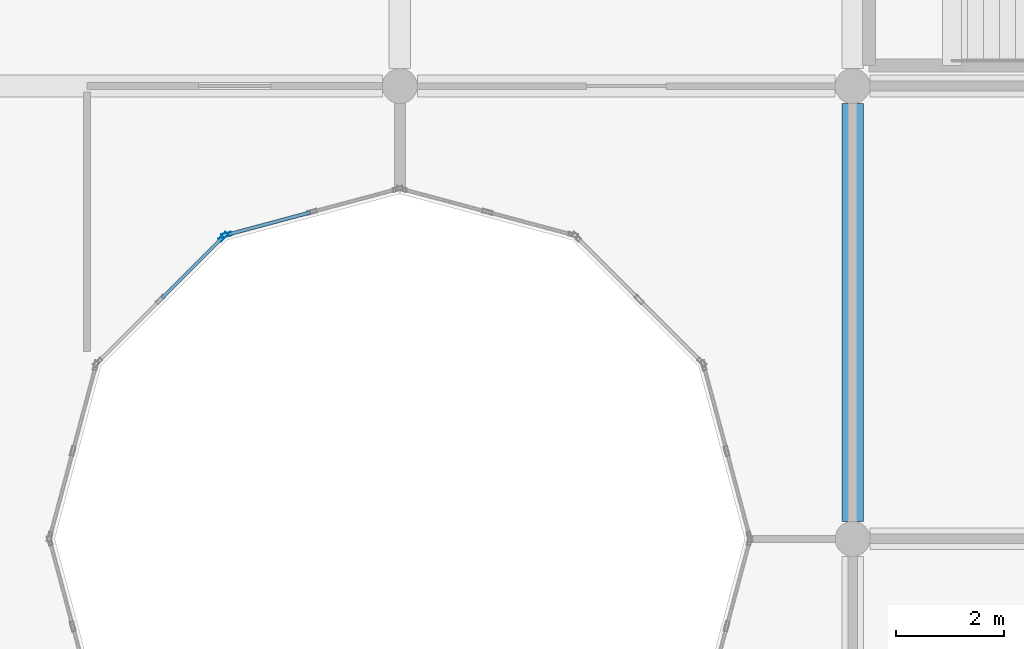
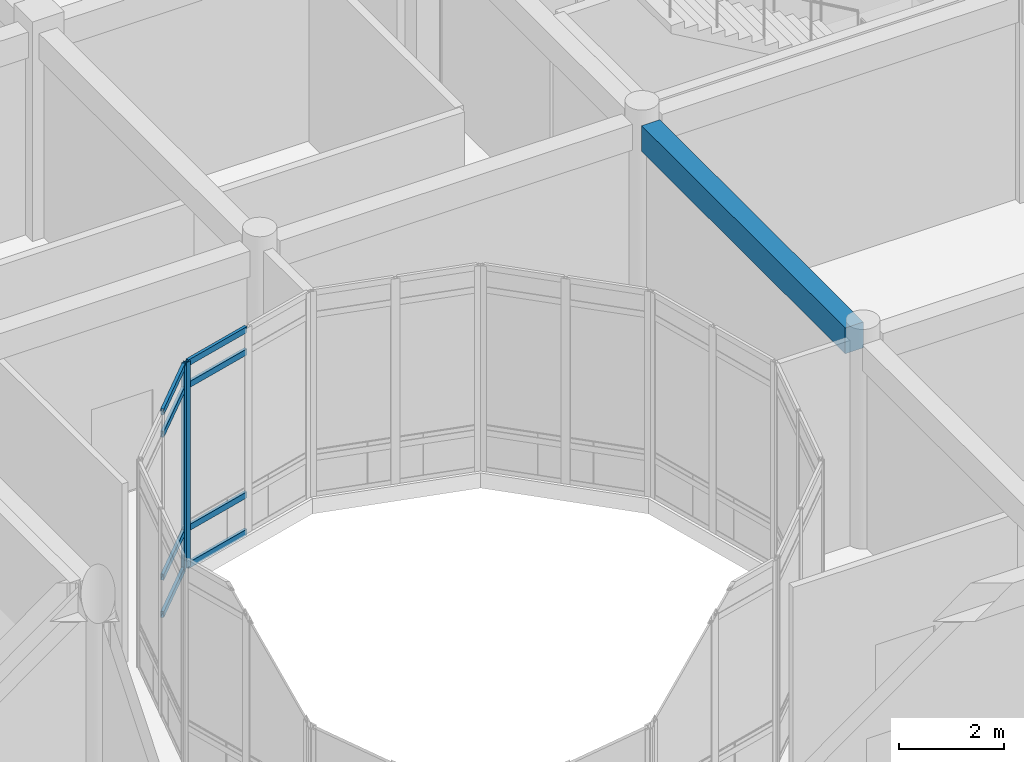
# One storey, part 52 of 134: 10 members, 1 beam, 2 elements without a shape of their own.
"""IFC4 building model written with IfcOpenShell, lengths in metres."""

from ifc_helpers import new_model, si_unit, direction, frame, origin, origin_2d, place, context, subcontext, project, spatial, rectangle, hollow_rectangle, extrude, material, layer, layer_set, material_profile, profile_set, type_object, element, aggregate, save


model = new_model("IFC4")

# Units and contexts
model_context = context("Model", 3, precision=1e-05, world=origin(), true_north=direction((0.0, 1.0)))
body_context = subcontext(model_context, "Body", "Model", "MODEL_VIEW")
ifc_project = project(units=[si_unit("LENGTHUNIT", "METRE"), si_unit("AREAUNIT", "SQUARE_METRE"), si_unit("VOLUMEUNIT", "CUBIC_METRE"), si_unit("PLANEANGLEUNIT", "RADIAN"), si_unit("MASSUNIT", "GRAM", prefix="KILO")], contexts=[model_context])

# Site, building, storey
site_placement = place(None, origin())
site = spatial("IfcSite", under=ifc_project, at=site_placement, CompositionType="ELEMENT")
building_placement = place(site_placement, origin())
building = spatial("IfcBuilding", under=site, at=building_placement, Name="Bramfleet General Hospital", CompositionType="ELEMENT")
storey_placement = place(building_placement, frame((0.0, 0.0, 9.300048828125)))
storey = spatial("IfcBuildingStorey", under=building, at=storey_placement, Name="L02", CompositionType="ELEMENT", Elevation=9.300048828125)

# Beam
ifc_material_1 = material(Name="Concrete C35/45", Category="concrete")
ifc_material_profile_1 = material_profile(ifc_material_1, rectangle(XDim=0.39990234375, YDim=0.60009765625, at=origin_2d()), Name="RC BM 600x400")
ifc_profile_set_1 = profile_set([ifc_material_profile_1], Name="Concrete C35/45")
beam_type = type_object("IfcBeamType", Name="BM-RC600", PredefinedType="BEAM", material=ifc_profile_set_1)
beam_placement = place(storey_placement, frame((126.0, 67.52490234375, 4.47998046875), z_axis=(0.0, 1.0, 0.0), x_axis=(-1.0, 0.0, 0.0)))
element("IfcBeam", 1, at=beam_placement, inside=storey, type_object=beam_type, Name="L02 Grid Beam Y 15-08", PredefinedType="BEAM", context=body_context, shape_type="SweptSolid", body=[
    extrude(rectangle(XDim=0.39990234375, YDim=0.60009765625, at=origin_2d()), origin(), (0.0, 0.0, 1.0), 7.75),
])

# Curtain wall, member
ifc_material_2 = material(Name="Anodised aluminium and low-E triple glazing", Category="aluminium")
ifc_layer_1 = layer(ifc_material_2, 0.179931640625, Name="CWT-CW-14")
ifc_layer_set_1 = layer_set([ifc_layer_1], Name="Anodised aluminium and low-E triple glazing")
curtain_wall_type_1 = type_object("IfcCurtainWallType", Name="CWT-CW-14", PredefinedType="USERDEFINED", material=ifc_layer_set_1)
curtain_wall_1_placement = place(storey_placement, origin())
curtain_wall_1 = element("IfcCurtainWall", 2, at=curtain_wall_1_placement, inside=storey, type_object=curtain_wall_type_1, Name="L02 East Laboratory Light Court Curtain Wall 10.1", ObjectType="Stick curtain wall", PredefinedType="USERDEFINED")
ifc_material_3 = material(Name="Anodised aluminium EN AW-6060", Category="aluminium")
ifc_material_profile_2 = material_profile(ifc_material_3, hollow_rectangle(XDim=0.070068359375, YDim=0.179931640625, WallThickness=0.00390625, at=origin_2d()), Name="ALU 180x70x4.0")
ifc_profile_set_2 = profile_set([ifc_material_profile_2], Name="Anodised aluminium EN AW-6060")
member_type_1 = type_object("IfcMemberType", Name="CWM-ALU180", PredefinedType="MULLION", material=ifc_profile_set_2)
member_1_placement = place(storey_placement, frame((114.3837890625, 72.838134765625, 0.0), z_axis=(0.0, 0.0, 1.0), x_axis=(0.258864833085, -0.965913556273, 0.0)))
member_1 = element("IfcMember", 3, at=member_1_placement, type_object=member_type_1, Name="CW-14 mullion 3", PredefinedType="MULLION", context=body_context, shape_type="SweptSolid", body=[
    extrude(hollow_rectangle(XDim=0.070068359375, YDim=0.179931640625, WallThickness=0.00390625, at=origin_2d()), origin(), (0.0, 0.0, 1.0), 4.77001953125),
])

ifc_layer_2 = layer(ifc_material_2, 0.179931640625, Name="CWT-CW-15")
ifc_layer_set_2 = layer_set([ifc_layer_2], Name="Anodised aluminium and low-E triple glazing")
curtain_wall_type_2 = type_object("IfcCurtainWallType", Name="CWT-CW-15", PredefinedType="USERDEFINED", material=ifc_layer_set_2)
curtain_wall_2_placement = place(storey_placement, origin())
curtain_wall_2 = element("IfcCurtainWall", 4, at=curtain_wall_2_placement, inside=storey, type_object=curtain_wall_type_2, Name="L02 East Laboratory Light Court Curtain Wall 11.1", ObjectType="Stick curtain wall", PredefinedType="USERDEFINED")
member_2_placement = place(storey_placement, frame((114.3251953125, 72.80419921875, 0.0), z_axis=(0.0, 0.0, 1.0), x_axis=(0.707106781187, -0.707106781187, 0.0)))
member_2 = element("IfcMember", 5, at=member_2_placement, type_object=member_type_1, Name="CW-15 mullion 1", PredefinedType="MULLION", context=body_context, shape_type="SweptSolid", body=[
    extrude(hollow_rectangle(XDim=0.070068359375, YDim=0.179931640625, WallThickness=0.00390625, at=origin_2d()), origin(), (0.0, 0.0, 1.0), 4.77001953125),
])

# Member
ifc_material_profile_3 = material_profile(ifc_material_3, hollow_rectangle(XDim=0.06494140625, YDim=0.139892578125, WallThickness=0.00390625, at=origin_2d()), Name="ALU 140x65x4.0")
ifc_profile_set_3 = profile_set([ifc_material_profile_3], Name="Anodised aluminium EN AW-6060")
member_type_2 = type_object("IfcMemberType", Name="CWT-ALU140", PredefinedType="USERDEFINED", material=ifc_profile_set_3)
member_3_placement = place(storey_placement, frame((115.941162109375, 73.25537109375, 0.032470703125), z_axis=(-0.965925940868, -0.258818617489, 0.0), x_axis=(0.258818617489, -0.965925940868, 0.0)))
member_3 = element("IfcMember", 6, at=member_3_placement, type_object=member_type_2, Name="CW-14 transom 2.1", ObjectType="TRANSOM", PredefinedType="USERDEFINED", context=body_context, shape_type="SweptSolid", body=[
    extrude(hollow_rectangle(XDim=0.06494140625, YDim=0.139892578125, WallThickness=0.00390625, at=origin_2d()), origin(), (0.0, 0.0, 1.0), 1.5771484375),
])

member_4_placement = place(storey_placement, frame((115.941162109375, 73.25537109375, 0.89990234375), z_axis=(-0.965925940868, -0.258818617489, 0.0), x_axis=(0.258818617489, -0.965925940868, 0.0)))
member_4 = element("IfcMember", 7, at=member_4_placement, type_object=member_type_2, Name="CW-14 transom 2.2", ObjectType="TRANSOM", PredefinedType="USERDEFINED", context=body_context, shape_type="SweptSolid", body=[
    extrude(hollow_rectangle(XDim=0.06494140625, YDim=0.139892578125, WallThickness=0.00390625, at=origin_2d()), origin(), (0.0, 0.0, 1.0), 1.5771484375),
])

member_5_placement = place(storey_placement, frame((115.941162109375, 73.25537109375, 4.219970703125), z_axis=(-0.965925940868, -0.258818617489, 0.0), x_axis=(0.258818617489, -0.965925940868, 0.0)))
member_5 = element("IfcMember", 8, at=member_5_placement, type_object=member_type_2, Name="CW-14 transom 2.3", ObjectType="TRANSOM", PredefinedType="USERDEFINED", context=body_context, shape_type="SweptSolid", body=[
    extrude(hollow_rectangle(XDim=0.06494140625, YDim=0.139892578125, WallThickness=0.00390625, at=origin_2d()), origin(), (0.0, 0.0, 1.0), 1.5771484375),
])

member_6_placement = place(storey_placement, frame((115.941162109375, 73.25537109375, 4.737548828125), z_axis=(-0.965925940868, -0.258818617489, 0.0), x_axis=(0.258818617489, -0.965925940868, 0.0)))
member_6 = element("IfcMember", 9, at=member_6_placement, type_object=member_type_2, Name="CW-14 transom 2.4", ObjectType="TRANSOM", PredefinedType="USERDEFINED", context=body_context, shape_type="SweptSolid", body=[
    extrude(hollow_rectangle(XDim=0.06494140625, YDim=0.139892578125, WallThickness=0.00390625, at=origin_2d()), origin(), (0.0, 0.0, 1.0), 1.5771484375),
])

aggregate(curtain_wall_1, [member_1, member_3, member_4, member_5, member_6])

member_7_placement = place(storey_placement, frame((114.300537109375, 72.779541015625, 0.032470703125), z_axis=(-0.707106781187, -0.707106781187, 0.0), x_axis=(0.707106781187, -0.707106781187, 0.0)))
member_7 = element("IfcMember", 10, at=member_7_placement, type_object=member_type_2, Name="CW-15 transom 1.1", ObjectType="TRANSOM", PredefinedType="USERDEFINED", context=body_context, shape_type="SweptSolid", body=[
    extrude(hollow_rectangle(XDim=0.06494140625, YDim=0.139892578125, WallThickness=0.00390625, at=origin_2d()), origin(), (0.0, 0.0, 1.0), 1.5771484375),
])

member_8_placement = place(storey_placement, frame((114.300537109375, 72.779541015625, 0.89990234375), z_axis=(-0.707106781187, -0.707106781187, 0.0), x_axis=(0.707106781187, -0.707106781187, 0.0)))
member_8 = element("IfcMember", 11, at=member_8_placement, type_object=member_type_2, Name="CW-15 transom 1.2", ObjectType="TRANSOM", PredefinedType="USERDEFINED", context=body_context, shape_type="SweptSolid", body=[
    extrude(hollow_rectangle(XDim=0.06494140625, YDim=0.139892578125, WallThickness=0.00390625, at=origin_2d()), origin(), (0.0, 0.0, 1.0), 1.5771484375),
])

member_9_placement = place(storey_placement, frame((114.300537109375, 72.779541015625, 4.219970703125), z_axis=(-0.707106781187, -0.707106781187, 0.0), x_axis=(0.707106781187, -0.707106781187, 0.0)))
member_9 = element("IfcMember", 12, at=member_9_placement, type_object=member_type_2, Name="CW-15 transom 1.3", ObjectType="TRANSOM", PredefinedType="USERDEFINED", context=body_context, shape_type="SweptSolid", body=[
    extrude(hollow_rectangle(XDim=0.06494140625, YDim=0.139892578125, WallThickness=0.00390625, at=origin_2d()), origin(), (0.0, 0.0, 1.0), 1.5771484375),
])

member_10_placement = place(storey_placement, frame((114.300537109375, 72.779541015625, 4.737548828125), z_axis=(-0.707106781187, -0.707106781187, 0.0), x_axis=(0.707106781187, -0.707106781187, 0.0)))
member_10 = element("IfcMember", 13, at=member_10_placement, type_object=member_type_2, Name="CW-15 transom 1.4", ObjectType="TRANSOM", PredefinedType="USERDEFINED", context=body_context, shape_type="SweptSolid", body=[
    extrude(hollow_rectangle(XDim=0.06494140625, YDim=0.139892578125, WallThickness=0.00390625, at=origin_2d()), origin(), (0.0, 0.0, 1.0), 1.5771484375),
])

aggregate(curtain_wall_2, [member_2, member_7, member_8, member_9, member_10])

save(model, "model.ifc")
